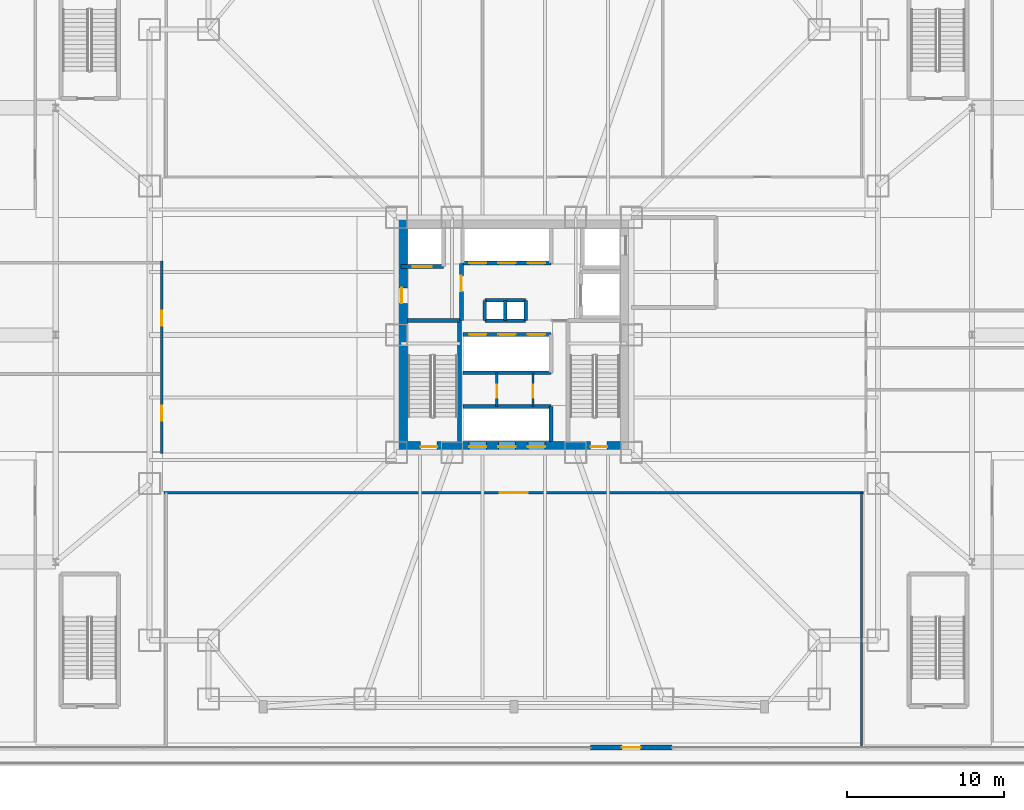
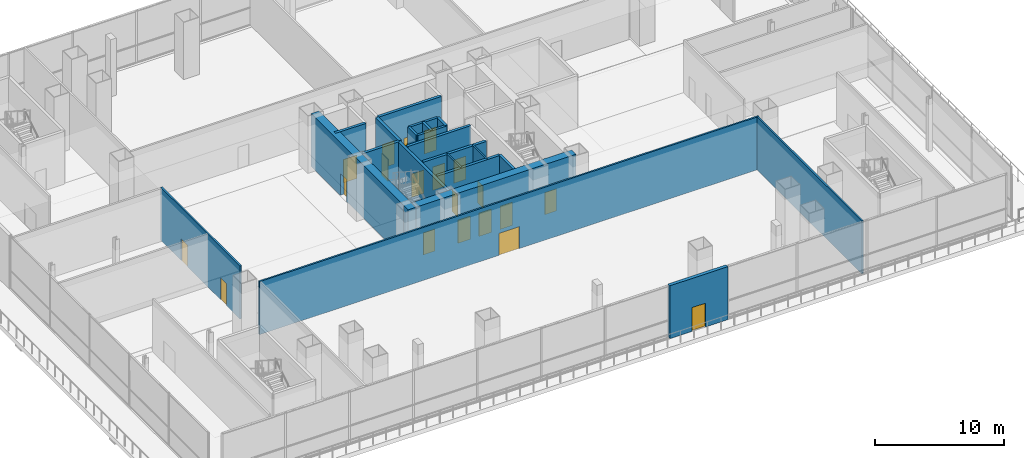
# One storey, part 22 of 35: 22 walls, 20 doors, 20 openings.
"""IFC4 building model written with IfcOpenShell, lengths in metres."""

import ifcopenshell
import ifcopenshell.guid

model = None  # the IFC model being written
_history = None  # IfcOwnerHistory: only IFC2X3 demands one
_inside = {}  # id of a spatial element -> (the spatial element, [elements in it])
_under = {}  # id of a project, library or spatial element -> (it, [spatial elements below it])
_declared = {}  # id of a project -> (the project, [libraries it declares])
_typed = {}  # id of a type object -> (the type object, [elements of that type])
_made_of = {}  # id of a material, layer set ... -> (it, [elements and type objects made of it])


def new_model(schema):
    """Start an empty IFC model of exactly this schema.

    Asked for "IFC4X3", IfcOpenShell would pick the latest addendum, in which some entities
    have other attributes; the version numbers below select the first issue.
    IFC2X3 requires an IfcOwnerHistory on every rooted entity: one is made here for all.
    """
    global model, _history
    if schema == "IFC4X3":
        model = ifcopenshell.file(schema_version=(4, 3, 0, 0))
    else:
        model = ifcopenshell.file(schema=schema)
    _inside.clear()
    _under.clear()
    _declared.clear()
    _typed.clear()
    _made_of.clear()
    _history = None
    if model.schema == "IFC2X3":
        org = make("IfcOrganization", Name="unknown")
        user = make(
            "IfcPersonAndOrganization",
            ThePerson=make("IfcPerson", FamilyName="unknown"),
            TheOrganization=org,
        )
        app = make(
            "IfcApplication",
            ApplicationDeveloper=org,
            Version="unknown",
            ApplicationFullName="unknown",
            ApplicationIdentifier="unknown",
        )
        _history = make(
            "IfcOwnerHistory",
            OwningUser=user,
            OwningApplication=app,
            ChangeAction="ADDED",
            CreationDate=0,
        )
    return model


def make(cls, **values):
    """One entity of the class cls with the attributes given. An attribute that is None is left unset."""
    return model.create_entity(
        cls, **{name: value for name, value in values.items() if value is not None}
    )


def rooted(cls, **values):
    """An entity with a GlobalId (a new one), such as an element, a storey or a relation."""
    return make(cls, GlobalId=ifcopenshell.guid.new(), OwnerHistory=_history, **values)


def si_unit(unit_type, name, prefix=None):
    """IfcSIUnit, for example si_unit("LENGTHUNIT", "METRE", prefix="MILLI")."""
    return make("IfcSIUnit", UnitType=unit_type, Prefix=prefix, Name=name)


def assignment(units):
    """IfcUnitAssignment: the units of a project."""
    return None if units is None else make("IfcUnitAssignment", Units=units)


def point(xyz):
    """IfcCartesianPoint."""
    return None if xyz is None else make("IfcCartesianPoint", Coordinates=xyz)


def direction(xyz):
    """IfcDirection."""
    return None if xyz is None else make("IfcDirection", DirectionRatios=xyz)


def frame(location, z_axis=None, x_axis=None):
    """IfcAxis2Placement3D, a coordinate frame: its origin and axes. An axis left out is left unset."""
    return make(
        "IfcAxis2Placement3D",
        Location=point(location),
        Axis=direction(z_axis),
        RefDirection=direction(x_axis),
    )


def frame_2d(location, x_axis=None):
    """IfcAxis2Placement2D, a coordinate frame in the plane: its origin and x axis."""
    return make(
        "IfcAxis2Placement2D", Location=point(location), RefDirection=direction(x_axis)
    )


def origin():
    """The frame at (0, 0, 0) with its axes left unset."""
    return frame((0.0, 0.0, 0.0))


def place(relative_to, where):
    """IfcLocalPlacement: puts the frame where relative to a parent placement (None: the world)."""
    return make(
        "IfcLocalPlacement", PlacementRelTo=relative_to, RelativePlacement=where
    )


def context(
    kind, dimensions, precision=None, world=None, true_north=None, identifier=None
):
    """IfcGeometricRepresentationContext, for example the 3D "Model" context."""
    return make(
        "IfcGeometricRepresentationContext",
        ContextIdentifier=identifier,
        ContextType=kind,
        CoordinateSpaceDimension=dimensions,
        Precision=precision,
        WorldCoordinateSystem=world,
        TrueNorth=true_north,
    )


def subcontext(parent, identifier, kind, view, scale=None):
    """IfcGeometricRepresentationSubContext, for example "Body" below "Model"."""
    return make(
        "IfcGeometricRepresentationSubContext",
        ContextIdentifier=identifier,
        ContextType=kind,
        ParentContext=parent,
        TargetScale=scale,
        TargetView=view,
    )


def project(units=None, contexts=None):
    """IfcProject with its units and contexts."""
    return rooted(
        "IfcProject",
        Name="project",
        RepresentationContexts=contexts,
        UnitsInContext=assignment(units),
    )


def spatial(cls, under=None, at=None, **own):
    """A site, building, storey or space (cls), placed at a placement, below another one or the project."""
    s = rooted(cls, ObjectPlacement=at, **own)
    if under is not None:
        _under.setdefault(under.id(), (under, []))[1].append(s)
    return s


def profile(cls, at=None, kind="AREA", **sizes):
    """A parametric profile (cls). Its sizes go by their IFC names, for example OverallWidth=200.0."""
    return make(cls, ProfileType=kind, Position=at, **sizes)


def rectangle(**sizes):
    """IfcRectangleProfileDef."""
    return profile("IfcRectangleProfileDef", **sizes)


def extrude(swept, where, along, depth):
    """IfcExtrudedAreaSolid: the profile swept, set in the frame where, extruded along a direction by depth."""
    return make(
        "IfcExtrudedAreaSolid",
        SweptArea=swept,
        Position=where,
        ExtrudedDirection=direction(along),
        Depth=depth,
    )


def shape(context_of_items, identifier, shape_type, items):
    """IfcShapeRepresentation: the items that make up one representation, for example the "Body"."""
    return make(
        "IfcShapeRepresentation",
        ContextOfItems=context_of_items,
        RepresentationIdentifier=identifier,
        RepresentationType=shape_type,
        Items=items,
    )


def material(Name=None, Category=None):
    """IfcMaterial."""
    return make("IfcMaterial", Name=Name, Category=Category)


def layer(
    of_material, thickness, ventilated=None, Name=None, Category=None, Priority=None
):
    """IfcMaterialLayer: one layer of a wall or slab, of a material (None: an air gap)."""
    return make(
        "IfcMaterialLayer",
        Material=of_material,
        LayerThickness=thickness,
        IsVentilated=ventilated,
        Name=Name,
        Category=Category,
        Priority=Priority,
    )


def layer_set(layers, Name=None):
    """IfcMaterialLayerSet."""
    return make("IfcMaterialLayerSet", MaterialLayers=layers, LayerSetName=Name)


def made_of(thing, what):
    """Note that an element or type object is made of a material, layer set ...; save() writes the relation."""
    if what is not None:
        _made_of.setdefault(what.id(), (what, []))[1].append(thing)
    return thing


def type_object(cls, material=None, **own):
    """A type object (cls), such as IfcWallType, which elements share."""
    return made_of(rooted(cls, **own), material)


def element(
    cls,
    number,
    at=None,
    inside=None,
    cuts=None,
    type_object=None,
    material=None,
    context=None,
    identifier="Body",
    shape_type=None,
    held_by="IfcProductDefinitionShape",
    body=None,
    shapes=None,
    **own,
):
    """One element of the class cls, such as IfcWall. Its Tag is "e" and its number.

    at: its placement. inside: the storey or other place that contains it. cuts: it is an
    opening in that element (IfcRelVoidsElement). A single representation is given by context,
    identifier, shape_type and body (its items); several are given by shapes. held_by: the class
    of the entity that holds the representations. save() writes the other relations.
    """
    e = rooted(cls, Tag="e%d" % number, ObjectPlacement=at, **own)
    if body is not None:
        shapes = [shape(context, identifier, shape_type, body)]
    if shapes is not None:
        e.Representation = make(held_by, Representations=shapes)
    if inside is not None:
        _inside.setdefault(inside.id(), (inside, []))[1].append(e)
    if cuts is not None:
        rooted(
            "IfcRelVoidsElement", RelatingBuildingElement=cuts, RelatedOpeningElement=e
        )
    if type_object is not None:
        _typed.setdefault(type_object.id(), (type_object, []))[1].append(e)
    return made_of(e, material)


def fill(opening, filler):
    """IfcRelFillsElement: the door or window that sits in an opening."""
    return rooted(
        "IfcRelFillsElement",
        RelatingOpeningElement=opening,
        RelatedBuildingElement=filler,
    )


def aggregate(whole, parts):
    """IfcRelAggregates: a whole, such as a stair, and the parts it consists of."""
    return rooted("IfcRelAggregates", RelatingObject=whole, RelatedObjects=parts)


def save(model, path):
    """Write the relations noted so far, then the file.

    IfcRelAggregates (storeys below a building ...), IfcRelContainedInSpatialStructure (elements
    in a storey), IfcRelDefinesByType, IfcRelAssociatesMaterial and IfcRelDeclares: one each for
    every whole, place, type object, material and project.
    """
    for whole, parts in _under.values():
        aggregate(whole, parts)
    for where, things in _inside.values():
        rooted(
            "IfcRelContainedInSpatialStructure",
            RelatedElements=things,
            RelatingStructure=where,
        )
    for kind, things in _typed.values():
        rooted("IfcRelDefinesByType", RelatedObjects=things, RelatingType=kind)
    for what, things in _made_of.values():
        rooted("IfcRelAssociatesMaterial", RelatedObjects=things, RelatingMaterial=what)
    for by, libraries in _declared.values():
        rooted("IfcRelDeclares", RelatingContext=by, RelatedDefinitions=libraries)
    model.write(path)


model = new_model("IFC4")

# Units and contexts
model_context = context("Model", 3, precision=1e-05, world=origin(), true_north=direction((0.0, 1.0)))
body_context = subcontext(model_context, "Body", "Model", "MODEL_VIEW")
ifc_project = project(units=[si_unit("LENGTHUNIT", "METRE"), si_unit("AREAUNIT", "SQUARE_METRE"), si_unit("VOLUMEUNIT", "CUBIC_METRE"), si_unit("PLANEANGLEUNIT", "RADIAN"), si_unit("MASSUNIT", "GRAM", prefix="KILO")], contexts=[model_context])

# Site, building, storey
site_placement = place(None, origin())
site = spatial("IfcSite", under=ifc_project, at=site_placement, CompositionType="ELEMENT")
building_placement = place(site_placement, origin())
building = spatial("IfcBuilding", under=site, at=building_placement, Name="Trevonay Congress Spire", CompositionType="ELEMENT")
storey_placement = place(building_placement, frame((0.0, 0.0, 10.800048828125)))
storey = spatial("IfcBuildingStorey", under=building, at=storey_placement, Name="L02", CompositionType="ELEMENT", Elevation=10.800048828125)

# Wall, openings, doors
ifc_material_1 = material(Name="Concrete C60/75", Category="concrete")
ifc_layer_1 = layer(ifc_material_1, 0.699951171875, Name="Concrete C60/75")
ifc_layer_set_1 = layer_set([ifc_layer_1], Name="Concrete C60/75")
wall_type_1 = type_object("IfcWallType", Name="WAL-CORE-700", PredefinedType="SHEAR", material=ifc_layer_set_1)
wall_1_placement = place(storey_placement, frame((-7.5, -7.14990234375, 0.0), z_axis=(0.0, 0.0, 1.0), x_axis=(1.0, 0.0, 0.0)))
wall_1 = element("IfcWall", 1, at=wall_1_placement, inside=storey, type_object=wall_type_1, Name="L02 South structural core shear wall", PredefinedType="SHEAR", context=body_context, shape_type="SweptSolid", body=[
    extrude(rectangle(XDim=15.0, YDim=0.699951171875, at=frame_2d((7.5, 0.0))), origin(), (0.0, 0.0, 1.0), 5.0),
])
opening_1_placement = place(wall_1_placement, frame((1.550048828125, 0.0, 0.0)))
opening_1 = element("IfcOpeningElement", 2, at=opening_1_placement, cuts=wall_1, Name="Opening D05", PredefinedType="OPENING", context=body_context, shape_type="SweptSolid", body=[
    extrude(rectangle(XDim=1.050048828125, YDim=2.080078125, at=frame_2d((0.52490234375, 1.0400390625))), frame((0.0, 0.35986328125, 0.0), z_axis=(0.0, -1.0, 0.0), x_axis=(1.0, 0.0, 0.0)), (0.0, 0.0, 1.0), 0.719970703125),
])
opening_2_placement = place(wall_1_placement, frame((12.39990234375, 0.0, 0.0)))
opening_2 = element("IfcOpeningElement", 3, at=opening_2_placement, cuts=wall_1, Name="Opening D05", PredefinedType="OPENING", context=body_context, shape_type="SweptSolid", body=[
    extrude(rectangle(XDim=1.050048828125, YDim=2.080078125, at=frame_2d((0.52490234375, 1.0400390625))), frame((0.0, 0.35986328125, 0.0), z_axis=(0.0, -1.0, 0.0), x_axis=(1.0, 0.0, 0.0)), (0.0, 0.0, 1.0), 0.719970703125),
])
opening_3_placement = place(wall_1_placement, frame((4.639892578125, 0.0, 0.0)))
opening_3 = element("IfcOpeningElement", 4, at=opening_3_placement, cuts=wall_1, Name="Opening LD01", PredefinedType="OPENING", context=body_context, shape_type="SweptSolid", body=[
    extrude(rectangle(XDim=1.10009765625, YDim=2.199951171875, at=frame_2d((0.550048828125, 1.10009765625))), frame((0.0, 0.35986328125, 0.0), z_axis=(0.0, -1.0, 0.0), x_axis=(1.0, 0.0, 0.0)), (0.0, 0.0, 1.0), 0.719970703125),
])
opening_4_placement = place(wall_1_placement, frame((6.52001953125, 0.0, 0.0)))
opening_4 = element("IfcOpeningElement", 5, at=opening_4_placement, cuts=wall_1, Name="Opening LD01", PredefinedType="OPENING", context=body_context, shape_type="SweptSolid", body=[
    extrude(rectangle(XDim=1.10009765625, YDim=2.199951171875, at=frame_2d((0.550048828125, 1.10009765625))), frame((0.0, 0.35986328125, 0.0), z_axis=(0.0, -1.0, 0.0), x_axis=(1.0, 0.0, 0.0)), (0.0, 0.0, 1.0), 0.719970703125),
])
opening_5_placement = place(wall_1_placement, frame((8.39990234375, 0.0, 0.0)))
opening_5 = element("IfcOpeningElement", 6, at=opening_5_placement, cuts=wall_1, Name="Opening LD01", PredefinedType="OPENING", context=body_context, shape_type="SweptSolid", body=[
    extrude(rectangle(XDim=1.10009765625, YDim=2.199951171875, at=frame_2d((0.550048828125, 1.10009765625))), frame((0.0, 0.35986328125, 0.0), z_axis=(0.0, -1.0, 0.0), x_axis=(1.0, 0.0, 0.0)), (0.0, 0.0, 1.0), 0.719970703125),
])
ifc_material_2 = material(Name="Pale Anodised Aluminium EN AW-6063-T6", Category="aluminium")
door_type_1 = type_object("IfcDoorType", Name="DOR-LIFT-LD01", OperationType="DOUBLE_DOOR_SLIDING", PredefinedType="DOOR", material=ifc_material_2)
door_1_placement = place(opening_3_placement, origin())
door_1 = element("IfcDoor", 7, at=door_1_placement, inside=storey, type_object=door_type_1, Name="L02 Passenger lift PL-01 landing door", OperationType="DOUBLE_DOOR_SLIDING", OverallHeight=2.199951171875, OverallWidth=1.10009765625, PredefinedType="DOOR", context=body_context, shape_type="SweptSolid", body=[
    extrude(rectangle(XDim=1.10009765625, YDim=2.199951171875, at=frame_2d((0.550048828125, 1.10009765625))), frame((0.0, 0.02490234375, 0.0), z_axis=(0.0, -1.0, 0.0), x_axis=(1.0, 0.0, 0.0)), (0.0, 0.0, 1.0), 0.050048828125),
])
fill(opening_3, door_1)
door_2_placement = place(opening_4_placement, origin())
door_2 = element("IfcDoor", 8, at=door_2_placement, inside=storey, type_object=door_type_1, Name="L02 Passenger lift PL-02 landing door", OperationType="DOUBLE_DOOR_SLIDING", OverallHeight=2.199951171875, OverallWidth=1.10009765625, PredefinedType="DOOR", context=body_context, shape_type="SweptSolid", body=[
    extrude(rectangle(XDim=1.10009765625, YDim=2.199951171875, at=frame_2d((0.550048828125, 1.10009765625))), frame((0.0, 0.02490234375, 0.0), z_axis=(0.0, -1.0, 0.0), x_axis=(1.0, 0.0, 0.0)), (0.0, 0.0, 1.0), 0.050048828125),
])
fill(opening_4, door_2)
door_3_placement = place(opening_5_placement, origin())
door_3 = element("IfcDoor", 9, at=door_3_placement, inside=storey, type_object=door_type_1, Name="L02 Passenger lift PL-03 landing door", OperationType="DOUBLE_DOOR_SLIDING", OverallHeight=2.199951171875, OverallWidth=1.10009765625, PredefinedType="DOOR", context=body_context, shape_type="SweptSolid", body=[
    extrude(rectangle(XDim=1.10009765625, YDim=2.199951171875, at=frame_2d((0.550048828125, 1.10009765625))), frame((0.0, 0.02490234375, 0.0), z_axis=(0.0, -1.0, 0.0), x_axis=(1.0, 0.0, 0.0)), (0.0, 0.0, 1.0), 0.050048828125),
])
fill(opening_5, door_3)
ifc_material_3 = material(Name="Steel ASTM A572 Grade 50", Category="steel")
door_type_2 = type_object("IfcDoorType", Name="DOR-STAIR-110", OperationType="NOTDEFINED", PredefinedType="DOOR", material=ifc_material_3)
door_4_placement = place(opening_1_placement, origin())
door_4 = element("IfcDoor", 10, at=door_4_placement, inside=storey, type_object=door_type_2, Name="L02 Protected Stair ST-1 Door", OperationType="SINGLE_SWING_LEFT", OverallHeight=2.080078125, OverallWidth=1.050048828125, PredefinedType="DOOR", context=body_context, shape_type="SweptSolid", body=[
    extrude(rectangle(XDim=1.050048828125, YDim=2.080078125, at=frame_2d((0.52490234375, 1.0400390625))), frame((0.0, 0.02490234375, 0.0), z_axis=(0.0, -1.0, 0.0), x_axis=(1.0, 0.0, 0.0)), (0.0, 0.0, 1.0), 0.050048828125),
])
fill(opening_1, door_4)
door_5_placement = place(opening_2_placement, origin())
door_5 = element("IfcDoor", 11, at=door_5_placement, inside=storey, type_object=door_type_2, Name="L02 Protected Stair ST-2 Door", OperationType="SINGLE_SWING_RIGHT", OverallHeight=2.080078125, OverallWidth=1.050048828125, PredefinedType="DOOR", context=body_context, shape_type="SweptSolid", body=[
    extrude(rectangle(XDim=1.050048828125, YDim=2.080078125, at=frame_2d((0.52490234375, 1.0400390625))), frame((0.0, 0.02490234375, 0.0), z_axis=(0.0, -1.0, 0.0), x_axis=(1.0, 0.0, 0.0)), (0.0, 0.0, 1.0), 0.050048828125),
])
fill(opening_2, door_5)

# Wall, opening, door
wall_2_placement = place(storey_placement, frame((-7.14990234375, -7.5, 0.0), z_axis=(0.0, 0.0, 1.0), x_axis=(0.0, 1.0, 0.0)))
wall_2 = element("IfcWall", 12, at=wall_2_placement, inside=storey, type_object=wall_type_1, Name="L02 West structural core shear wall", PredefinedType="SHEAR", context=body_context, shape_type="SweptSolid", body=[
    extrude(rectangle(XDim=15.0, YDim=0.699951171875, at=frame_2d((7.5, 0.0))), origin(), (0.0, 0.0, 1.0), 5.0),
])
opening_6_placement = place(wall_2_placement, frame((9.5, 0.0, 0.0)))
opening_6 = element("IfcOpeningElement", 13, at=opening_6_placement, cuts=wall_2, Name="Opening D06", PredefinedType="OPENING", context=body_context, shape_type="SweptSolid", body=[
    extrude(rectangle(XDim=1.0, YDim=2.080078125, at=frame_2d((0.5, 1.0400390625))), frame((0.0, 0.35986328125, 0.0), z_axis=(0.0, -1.0, 0.0), x_axis=(1.0, 0.0, 0.0)), (0.0, 0.0, 1.0), 0.719970703125),
])
door_type_3 = type_object("IfcDoorType", Name="DOR-FIRE-100", OperationType="NOTDEFINED", PredefinedType="DOOR", material=ifc_material_3)
door_6_placement = place(opening_6_placement, origin())
door_6 = element("IfcDoor", 14, at=door_6_placement, inside=storey, type_object=door_type_3, Name="L02 Firefighting Lift Lobby West Corridor Door", OperationType="SINGLE_SWING_LEFT", OverallHeight=2.080078125, OverallWidth=1.0, PredefinedType="DOOR", context=body_context, shape_type="SweptSolid", body=[
    extrude(rectangle(XDim=1.0, YDim=2.080078125, at=frame_2d((0.5, 1.0400390625))), frame((0.0, 0.02490234375, 0.0), z_axis=(0.0, -1.0, 0.0), x_axis=(1.0, 0.0, 0.0)), (0.0, 0.0, 1.0), 0.050048828125),
])
fill(opening_6, door_6)

ifc_material_4 = material(Name="Concrete C40/50", Category="concrete")
ifc_layer_2 = layer(ifc_material_4, 0.14990234375, Name="Concrete C40/50")
ifc_layer_set_2 = layer_set([ifc_layer_2], Name="Concrete C40/50")
wall_type_2 = type_object("IfcWallType", Name="WAL-CORR-150", PredefinedType="PARTITIONING", material=ifc_layer_set_2)
wall_3_placement = place(storey_placement, frame((-22.320068359375, -10.080078125, 0.0), z_axis=(0.0, 0.0, 1.0), x_axis=(1.0, 0.0, 0.0)))
wall_3 = element("IfcWall", 15, at=wall_3_placement, inside=storey, type_object=wall_type_2, Name="L02 interior wall WP-L02S-COR", PredefinedType="PARTITIONING", context=body_context, shape_type="SweptSolid", body=[
    extrude(rectangle(XDim=44.64013671875, YDim=0.14990234375, at=frame_2d((22.320068359375, 0.0))), origin(), (0.0, 0.0, 1.0), 5.0),
])
opening_7_placement = place(wall_3_placement, frame((21.419921875, 0.0, 0.0)))
opening_7 = element("IfcOpeningElement", 16, at=opening_7_placement, cuts=wall_3, Name="Opening D09", PredefinedType="OPENING", context=body_context, shape_type="SweptSolid", body=[
    extrude(rectangle(XDim=1.800048828125, YDim=2.080078125, at=frame_2d((0.89990234375, 1.0400390625))), frame((0.0, 0.0849609375, 0.0), z_axis=(0.0, -1.0, 0.0), x_axis=(1.0, 0.0, 0.0)), (0.0, 0.0, 1.0), 0.169921875),
])
door_type_4 = type_object("IfcDoorType", Name="DOR-CONF-DBL", OperationType="DOUBLE_DOOR_SINGLE_SWING", PredefinedType="DOOR", material=ifc_material_2)
door_7_placement = place(opening_7_placement, origin())
door_7 = element("IfcDoor", 17, at=door_7_placement, inside=storey, type_object=door_type_4, Name="L02 Exhibition Hall Door", OperationType="DOUBLE_DOOR_SINGLE_SWING", OverallHeight=2.080078125, OverallWidth=1.800048828125, PredefinedType="DOOR", context=body_context, shape_type="SweptSolid", body=[
    extrude(rectangle(XDim=1.800048828125, YDim=2.080078125, at=frame_2d((0.89990234375, 1.0400390625))), frame((0.0, 0.02490234375, 0.0), z_axis=(0.0, -1.0, 0.0), x_axis=(1.0, 0.0, 0.0)), (0.0, 0.0, 1.0), 0.050048828125),
])
fill(opening_7, door_7)

# Wall, openings, doors
wall_4_placement = place(storey_placement, frame((-22.47998046875, -7.570068359375, 0.0), z_axis=(0.0, 0.0, 1.0), x_axis=(0.0, 1.0, 0.0)))
wall_4 = element("IfcWall", 18, at=wall_4_placement, inside=storey, type_object=wall_type_2, Name="L02 interior wall WP-L02W-COR", PredefinedType="PARTITIONING", context=body_context, shape_type="SweptSolid", body=[
    extrude(rectangle(XDim=12.2900390625, YDim=0.14990234375, at=frame_2d((6.14501953125, 0.0))), origin(), (0.0, 0.0, 1.0), 5.0),
])
opening_8_placement = place(wall_4_placement, frame((2.080078125, 0.0, 0.0)))
opening_8 = element("IfcOpeningElement", 19, at=opening_8_placement, cuts=wall_4, Name="Opening D07", PredefinedType="OPENING", context=body_context, shape_type="SweptSolid", body=[
    extrude(rectangle(XDim=0.949951171875, YDim=2.06005859375, at=frame_2d((0.47509765625, 1.030029296875))), frame((0.0, 0.0849609375, 0.0), z_axis=(0.0, -1.0, 0.0), x_axis=(1.0, 0.0, 0.0)), (0.0, 0.0, 1.0), 0.169921875),
])
opening_9_placement = place(wall_4_placement, frame((8.14501953125, 0.0, 0.0)))
opening_9 = element("IfcOpeningElement", 20, at=opening_9_placement, cuts=wall_4, Name="Opening D07", PredefinedType="OPENING", context=body_context, shape_type="SweptSolid", body=[
    extrude(rectangle(XDim=0.949951171875, YDim=2.06005859375, at=frame_2d((0.47509765625, 1.030029296875))), frame((0.0, 0.0849609375, 0.0), z_axis=(0.0, -1.0, 0.0), x_axis=(1.0, 0.0, 0.0)), (0.0, 0.0, 1.0), 0.169921875),
])
door_type_5 = type_object("IfcDoorType", Name="DOR-OFFICE-95", OperationType="NOTDEFINED", PredefinedType="DOOR", material=ifc_material_2)
door_8_placement = place(opening_8_placement, origin())
door_8 = element("IfcDoor", 21, at=door_8_placement, inside=storey, type_object=door_type_5, Name="L02 Symposium Seminar Room 1 Door", OperationType="SINGLE_SWING_LEFT", OverallHeight=2.06005859375, OverallWidth=0.949951171875, PredefinedType="DOOR", context=body_context, shape_type="SweptSolid", body=[
    extrude(rectangle(XDim=0.949951171875, YDim=2.06005859375, at=frame_2d((0.47509765625, 1.030029296875))), frame((0.0, 0.02490234375, 0.0), z_axis=(0.0, -1.0, 0.0), x_axis=(1.0, 0.0, 0.0)), (0.0, 0.0, 1.0), 0.050048828125),
])
fill(opening_8, door_8)
door_9_placement = place(opening_9_placement, origin())
door_9 = element("IfcDoor", 22, at=door_9_placement, inside=storey, type_object=door_type_5, Name="L02 Symposium Seminar Room 2 Door", OperationType="SINGLE_SWING_RIGHT", OverallHeight=2.06005859375, OverallWidth=0.949951171875, PredefinedType="DOOR", context=body_context, shape_type="SweptSolid", body=[
    extrude(rectangle(XDim=0.949951171875, YDim=2.06005859375, at=frame_2d((0.47509765625, 1.030029296875))), frame((0.0, 0.02490234375, 0.0), z_axis=(0.0, -1.0, 0.0), x_axis=(1.0, 0.0, 0.0)), (0.0, 0.0, 1.0), 0.050048828125),
])
fill(opening_9, door_9)

# Wall, opening, door
ifc_material_5 = material(Name="Precast concrete C40/50", Category="concrete")
ifc_layer_3 = layer(ifc_material_5, 0.300048828125, Name="Precast concrete C40/50")
ifc_layer_set_3 = layer_set([ifc_layer_3], Name="Precast concrete C40/50")
wall_type_3 = type_object("IfcWallType", Name="WAL-EXT-PRECAST-300", PredefinedType="SOLIDWALL", material=ifc_layer_set_3)
wall_5_placement = place(storey_placement, frame((4.89990234375, -26.35009765625, 0.0), z_axis=(0.0, 0.0, 1.0), x_axis=(1.0, 0.0, 0.0)))
wall_5 = element("IfcWall", 23, at=wall_5_placement, inside=storey, type_object=wall_type_3, Name="L02 S terrace doorway backup wall", PredefinedType="SOLIDWALL", context=body_context, shape_type="SweptSolid", body=[
    extrude(rectangle(XDim=5.2001953125, YDim=0.300048828125, at=frame_2d((2.60009765625, 0.0))), origin(), (0.0, 0.0, 1.0), 5.0),
])
opening_10_placement = place(wall_5_placement, frame((2.0, 0.0, 0.0)))
opening_10 = element("IfcOpeningElement", 24, at=opening_10_placement, cuts=wall_5, Name="Opening D12", PredefinedType="OPENING", context=body_context, shape_type="SweptSolid", body=[
    extrude(rectangle(XDim=1.199951171875, YDim=2.25, at=frame_2d((0.60009765625, 1.125))), frame((0.0, 0.16015625, 0.0), z_axis=(0.0, -1.0, 0.0), x_axis=(1.0, 0.0, 0.0)), (0.0, 0.0, 1.0), 0.320068359375),
])
door_type_6 = type_object("IfcDoorType", Name="DOR-EXT-TERR-120", OperationType="NOTDEFINED", PredefinedType="DOOR", material=ifc_material_2)
door_10_placement = place(opening_10_placement, origin())
door_10 = element("IfcDoor", 25, at=door_10_placement, inside=storey, type_object=door_type_6, Name="L02 S stepped terrace access door", OperationType="SINGLE_SWING_LEFT", OverallHeight=2.25, OverallWidth=1.199951171875, PredefinedType="DOOR", context=body_context, shape_type="SweptSolid", body=[
    extrude(rectangle(XDim=1.199951171875, YDim=2.25, at=frame_2d((0.60009765625, 1.125))), frame((0.0, 0.02490234375, 0.0), z_axis=(0.0, -1.0, 0.0), x_axis=(1.0, 0.0, 0.0)), (0.0, 0.0, 1.0), 0.050048828125),
])
fill(opening_10, door_10)

ifc_layer_4 = layer(ifc_material_4, 0.14990234375, Name="Concrete C40/50")
ifc_layer_set_4 = layer_set([ifc_layer_4], Name="Concrete C40/50")
wall_type_4 = type_object("IfcWallType", Name="WAL-PART-150", PredefinedType="PARTITIONING", material=ifc_layer_set_4)
wall_6_placement = place(storey_placement, frame((-1.080078125, -4.570068359375, 0.0), z_axis=(0.0, 0.0, 1.0), x_axis=(0.0, 1.0, 0.0)))
wall_6 = element("IfcWall", 26, at=wall_6_placement, inside=storey, type_object=wall_type_4, Name="L02 interior wall CW-K3-IT-L02", PredefinedType="PARTITIONING", context=body_context, shape_type="SweptSolid", body=[
    extrude(rectangle(XDim=2.14013671875, YDim=0.14990234375, at=frame_2d((1.070068359375, 0.0))), origin(), (0.0, 0.0, 1.0), 5.0),
])
opening_11_placement = place(wall_6_placement, frame((0.550048828125, 0.0, 0.0)))
opening_11 = element("IfcOpeningElement", 27, at=opening_11_placement, cuts=wall_6, Name="Opening D13", PredefinedType="OPENING", context=body_context, shape_type="SweptSolid", body=[
    extrude(rectangle(XDim=0.820068359375, YDim=2.050048828125, at=frame_2d((0.41015625, 1.02490234375))), frame((0.0, 0.0849609375, 0.0), z_axis=(0.0, -1.0, 0.0), x_axis=(1.0, 0.0, 0.0)), (0.0, 0.0, 1.0), 0.169921875),
])
door_type_7 = type_object("IfcDoorType", Name="DOR-UTIL-80", OperationType="NOTDEFINED", PredefinedType="DOOR", material=ifc_material_3)
door_11_placement = place(opening_11_placement, origin())
door_11 = element("IfcDoor", 28, at=door_11_placement, inside=storey, type_object=door_type_7, Name="L02 Core IT Door", OperationType="SINGLE_SWING_RIGHT", OverallHeight=2.050048828125, OverallWidth=0.820068359375, PredefinedType="DOOR", context=body_context, shape_type="SweptSolid", body=[
    extrude(rectangle(XDim=0.820068359375, YDim=2.050048828125, at=frame_2d((0.41015625, 1.02490234375))), frame((0.0, 0.02490234375, 0.0), z_axis=(0.0, -1.0, 0.0), x_axis=(1.0, 0.0, 0.0)), (0.0, 0.0, 1.0), 0.050048828125),
])
fill(opening_11, door_11)

wall_7_placement = place(storey_placement, frame((1.219970703125, -4.570068359375, 0.0), z_axis=(0.0, 0.0, 1.0), x_axis=(0.0, 1.0, 0.0)))
wall_7 = element("IfcWall", 29, at=wall_7_placement, inside=storey, type_object=wall_type_4, Name="L02 interior wall CW-K3-JAN-L02", PredefinedType="PARTITIONING", context=body_context, shape_type="SweptSolid", body=[
    extrude(rectangle(XDim=2.14013671875, YDim=0.14990234375, at=frame_2d((1.070068359375, 0.0))), origin(), (0.0, 0.0, 1.0), 5.0),
])
opening_12_placement = place(wall_7_placement, frame((0.550048828125, 0.0, 0.0)))
opening_12 = element("IfcOpeningElement", 30, at=opening_12_placement, cuts=wall_7, Name="Opening D13", PredefinedType="OPENING", context=body_context, shape_type="SweptSolid", body=[
    extrude(rectangle(XDim=0.820068359375, YDim=2.050048828125, at=frame_2d((0.41015625, 1.02490234375))), frame((0.0, 0.0849609375, 0.0), z_axis=(0.0, -1.0, 0.0), x_axis=(1.0, 0.0, 0.0)), (0.0, 0.0, 1.0), 0.169921875),
])
door_12_placement = place(opening_12_placement, origin())
door_12 = element("IfcDoor", 31, at=door_12_placement, inside=storey, type_object=door_type_7, Name="L02 Core JAN Door", OperationType="SINGLE_SWING_LEFT", OverallHeight=2.050048828125, OverallWidth=0.820068359375, PredefinedType="DOOR", context=body_context, shape_type="SweptSolid", body=[
    extrude(rectangle(XDim=0.820068359375, YDim=2.050048828125, at=frame_2d((0.41015625, 1.02490234375))), frame((0.0, 0.02490234375, 0.0), z_axis=(0.0, -1.0, 0.0), x_axis=(1.0, 0.0, 0.0)), (0.0, 0.0, 1.0), 0.050048828125),
])
fill(opening_12, door_12)

# Walls
wall_8_placement = place(storey_placement, frame((22.199951171875, -26.35009765625, 0.0), z_axis=(0.0, 0.0, 1.0), x_axis=(0.0, 1.0, 0.0)))
element("IfcWall", 32, at=wall_8_placement, inside=storey, type_object=wall_type_4, Name="L02 interior wall WP-L02S-DIV2", PredefinedType="PARTITIONING", context=body_context, shape_type="SweptSolid", body=[
    extrude(rectangle(XDim=16.27001953125, YDim=0.14990234375, at=frame_2d((8.135009765625, 0.0))), origin(), (0.0, 0.0, 1.0), 5.0),
])
ifc_layer_5 = layer(ifc_material_4, 0.219970703125, Name="Concrete C40/50")
ifc_layer_set_5 = layer_set([ifc_layer_5], Name="Concrete C40/50")
wall_type_5 = type_object("IfcWallType", Name="WAL-SHAFT-220", PredefinedType="PARTITIONING", material=ifc_layer_set_5)
for number, where, z_axis, x_axis, name in (
    (33, (-1.85009765625, 2.199951171875, 0.0), (0.0, 0.0, 1.0), (1.0, 0.0, 0.0), "L02 interior shaft wall WSH-L02-RSR-N"),
    (34, (-1.85009765625, 0.89990234375, 0.0), (0.0, 0.0, 1.0), (1.0, 0.0, 0.0), "L02 interior shaft wall WSH-L02-RSR-S"),
):
    element("IfcWall", number, at=place(storey_placement, frame(where, z_axis=z_axis, x_axis=x_axis)), inside=storey, type_object=wall_type_5, Name=name, PredefinedType="PARTITIONING", context=body_context, shape_type="SweptSolid", body=[
        extrude(rectangle(XDim=2.60009765625, YDim=0.219970703125, at=frame_2d((1.300048828125, 0.0))), origin(), (0.0, 0.0, 1.0), 5.0),
    ])
for number, where, z_axis, x_axis, name in (
    (35, (-0.550048828125, 0.89990234375, 0.0), (0.0, 0.0, 1.0), (0.0, 1.0, 0.0), "L02 interior shaft wall WSH-L02-RSR-M"),
    (36, (0.75, 0.89990234375, 0.0), (0.0, 0.0, 1.0), (0.0, 1.0, 0.0), "L02 interior shaft wall WSH-L02-RSR-E"),
    (37, (-1.85009765625, 0.89990234375, 0.0), (0.0, 0.0, 1.0), (0.0, 1.0, 0.0), "L02 interior shaft wall WSH-L02-RSR-W"),
):
    element("IfcWall", number, at=place(storey_placement, frame(where, z_axis=z_axis, x_axis=x_axis)), inside=storey, type_object=wall_type_5, Name=name, PredefinedType="PARTITIONING", context=body_context, shape_type="SweptSolid", body=[
        extrude(rectangle(XDim=1.300048828125, YDim=0.219970703125, at=frame_2d((0.64990234375, 0.0))), origin(), (0.0, 0.0, 1.0), 5.0),
    ])
ifc_layer_6 = layer(ifc_material_4, 0.25, Name="Concrete C40/50")
ifc_layer_set_6 = layer_set([ifc_layer_6], Name="Concrete C40/50")
wall_type_6 = type_object("IfcWallType", Name="WAL-SHAFT-250", PredefinedType="SHEAR", material=ifc_layer_set_6)
wall_9_placement = place(storey_placement, frame((-3.260009765625, -4.580078125, 0.0), z_axis=(0.0, 0.0, 1.0), x_axis=(1.0, 0.0, 0.0)))
element("IfcWall", 38, at=wall_9_placement, inside=storey, type_object=wall_type_6, Name="L02 interior shaft wall WSH-L02-B1-N", PredefinedType="SHEAR", context=body_context, shape_type="SweptSolid", body=[
    extrude(rectangle(XDim=5.639892578125, YDim=0.25, at=frame_2d((2.81982421875, 0.0))), origin(), (0.0, 0.0, 1.0), 5.0),
])
wall_10_placement = place(storey_placement, frame((2.3798828125, -6.800048828125, 0.0), z_axis=(0.0, 0.0, 1.0), x_axis=(0.0, 1.0, 0.0)))
element("IfcWall", 39, at=wall_10_placement, inside=storey, type_object=wall_type_6, Name="L02 interior shaft wall WSH-L02-B1-E", PredefinedType="SHEAR", context=body_context, shape_type="SweptSolid", body=[
    extrude(rectangle(XDim=2.219970703125, YDim=0.25, at=frame_2d((1.10986328125, 0.0))), origin(), (0.0, 0.0, 1.0), 5.0),
])

# Wall, openings, doors
wall_11_placement = place(storey_placement, frame((-3.260009765625, 0.02001953125, 0.0), z_axis=(0.0, 0.0, 1.0), x_axis=(1.0, 0.0, 0.0)))
wall_11 = element("IfcWall", 40, at=wall_11_placement, inside=storey, type_object=wall_type_6, Name="L02 interior shaft wall WSH-L02-B2-N", PredefinedType="SHEAR", context=body_context, shape_type="SweptSolid", body=[
    extrude(rectangle(XDim=5.639892578125, YDim=0.25, at=frame_2d((2.81982421875, 0.0))), origin(), (0.0, 0.0, 1.0), 5.0),
])
opening_13_placement = place(wall_11_placement, frame((0.39990234375, 0.0, 0.0)))
opening_13 = element("IfcOpeningElement", 41, at=opening_13_placement, cuts=wall_11, Name="Opening LD02", PredefinedType="OPENING", context=body_context, shape_type="SweptSolid", body=[
    extrude(rectangle(XDim=1.10009765625, YDim=2.199951171875, at=frame_2d((0.550048828125, 1.10009765625))), frame((0.0, 0.135009765625, 0.0), z_axis=(0.0, -1.0, 0.0), x_axis=(1.0, 0.0, 0.0)), (0.0, 0.0, 1.0), 0.27001953125),
])
opening_14_placement = place(wall_11_placement, frame((2.280029296875, 0.0, 0.0)))
opening_14 = element("IfcOpeningElement", 42, at=opening_14_placement, cuts=wall_11, Name="Opening LD02", PredefinedType="OPENING", context=body_context, shape_type="SweptSolid", body=[
    extrude(rectangle(XDim=1.10009765625, YDim=2.199951171875, at=frame_2d((0.550048828125, 1.10009765625))), frame((0.0, 0.135009765625, 0.0), z_axis=(0.0, -1.0, 0.0), x_axis=(1.0, 0.0, 0.0)), (0.0, 0.0, 1.0), 0.27001953125),
])
opening_15_placement = place(wall_11_placement, frame((4.159912109375, 0.0, 0.0)))
opening_15 = element("IfcOpeningElement", 43, at=opening_15_placement, cuts=wall_11, Name="Opening LD02", PredefinedType="OPENING", context=body_context, shape_type="SweptSolid", body=[
    extrude(rectangle(XDim=1.10009765625, YDim=2.199951171875, at=frame_2d((0.550048828125, 1.10009765625))), frame((0.0, 0.135009765625, 0.0), z_axis=(0.0, -1.0, 0.0), x_axis=(1.0, 0.0, 0.0)), (0.0, 0.0, 1.0), 0.27001953125),
])
door_type_8 = type_object("IfcDoorType", Name="DOR-LIFT-LD02", OperationType="DOUBLE_DOOR_SLIDING", PredefinedType="DOOR", material=ifc_material_2)
door_13_placement = place(opening_13_placement, origin())
door_13 = element("IfcDoor", 44, at=door_13_placement, inside=storey, type_object=door_type_8, Name="L02 Passenger lift PL-04 landing door", OperationType="DOUBLE_DOOR_SLIDING", OverallHeight=2.199951171875, OverallWidth=1.10009765625, PredefinedType="DOOR", context=body_context, shape_type="SweptSolid", body=[
    extrude(rectangle(XDim=1.10009765625, YDim=2.199951171875, at=frame_2d((0.550048828125, 1.10009765625))), frame((0.0, 0.02490234375, 0.0), z_axis=(0.0, -1.0, 0.0), x_axis=(1.0, 0.0, 0.0)), (0.0, 0.0, 1.0), 0.050048828125),
])
fill(opening_13, door_13)
door_14_placement = place(opening_14_placement, origin())
door_14 = element("IfcDoor", 45, at=door_14_placement, inside=storey, type_object=door_type_8, Name="L02 Passenger lift PL-05 landing door", OperationType="DOUBLE_DOOR_SLIDING", OverallHeight=2.199951171875, OverallWidth=1.10009765625, PredefinedType="DOOR", context=body_context, shape_type="SweptSolid", body=[
    extrude(rectangle(XDim=1.10009765625, YDim=2.199951171875, at=frame_2d((0.550048828125, 1.10009765625))), frame((0.0, 0.02490234375, 0.0), z_axis=(0.0, -1.0, 0.0), x_axis=(1.0, 0.0, 0.0)), (0.0, 0.0, 1.0), 0.050048828125),
])
fill(opening_14, door_14)
door_15_placement = place(opening_15_placement, origin())
door_15 = element("IfcDoor", 46, at=door_15_placement, inside=storey, type_object=door_type_8, Name="L02 Passenger lift PL-06 landing door", OperationType="DOUBLE_DOOR_SLIDING", OverallHeight=2.199951171875, OverallWidth=1.10009765625, PredefinedType="DOOR", context=body_context, shape_type="SweptSolid", body=[
    extrude(rectangle(XDim=1.10009765625, YDim=2.199951171875, at=frame_2d((0.550048828125, 1.10009765625))), frame((0.0, 0.02490234375, 0.0), z_axis=(0.0, -1.0, 0.0), x_axis=(1.0, 0.0, 0.0)), (0.0, 0.0, 1.0), 0.050048828125),
])
fill(opening_15, door_15)

# Wall
wall_12_placement = place(storey_placement, frame((-3.260009765625, -2.419921875, 0.0), z_axis=(0.0, 0.0, 1.0), x_axis=(1.0, 0.0, 0.0)))
element("IfcWall", 47, at=wall_12_placement, inside=storey, type_object=wall_type_6, Name="L02 interior shaft wall WSH-L02-B2-S", PredefinedType="SHEAR", context=body_context, shape_type="SweptSolid", body=[
    extrude(rectangle(XDim=5.639892578125, YDim=0.25, at=frame_2d((2.81982421875, 0.0))), origin(), (0.0, 0.0, 1.0), 5.0),
])

# Wall, openings, doors
wall_13_placement = place(storey_placement, frame((-3.260009765625, 4.580078125, 0.0), z_axis=(0.0, 0.0, 1.0), x_axis=(1.0, 0.0, 0.0)))
wall_13 = element("IfcWall", 48, at=wall_13_placement, inside=storey, type_object=wall_type_6, Name="L02 interior shaft wall WSH-L02-B3-S", PredefinedType="SHEAR", context=body_context, shape_type="SweptSolid", body=[
    extrude(rectangle(XDim=5.639892578125, YDim=0.25, at=frame_2d((2.81982421875, 0.0))), origin(), (0.0, 0.0, 1.0), 5.0),
])
opening_16_placement = place(wall_13_placement, frame((0.39990234375, 0.0, 0.0)))
opening_16 = element("IfcOpeningElement", 49, at=opening_16_placement, cuts=wall_13, Name="Opening LD03", PredefinedType="OPENING", context=body_context, shape_type="SweptSolid", body=[
    extrude(rectangle(XDim=1.10009765625, YDim=2.199951171875, at=frame_2d((0.550048828125, 1.10009765625))), frame((0.0, 0.135009765625, 0.0), z_axis=(0.0, -1.0, 0.0), x_axis=(1.0, 0.0, 0.0)), (0.0, 0.0, 1.0), 0.27001953125),
])
opening_17_placement = place(wall_13_placement, frame((2.280029296875, 0.0, 0.0)))
opening_17 = element("IfcOpeningElement", 50, at=opening_17_placement, cuts=wall_13, Name="Opening LD03", PredefinedType="OPENING", context=body_context, shape_type="SweptSolid", body=[
    extrude(rectangle(XDim=1.10009765625, YDim=2.199951171875, at=frame_2d((0.550048828125, 1.10009765625))), frame((0.0, 0.135009765625, 0.0), z_axis=(0.0, -1.0, 0.0), x_axis=(1.0, 0.0, 0.0)), (0.0, 0.0, 1.0), 0.27001953125),
])
opening_18_placement = place(wall_13_placement, frame((4.159912109375, 0.0, 0.0)))
opening_18 = element("IfcOpeningElement", 51, at=opening_18_placement, cuts=wall_13, Name="Opening LD03", PredefinedType="OPENING", context=body_context, shape_type="SweptSolid", body=[
    extrude(rectangle(XDim=1.10009765625, YDim=2.199951171875, at=frame_2d((0.550048828125, 1.10009765625))), frame((0.0, 0.135009765625, 0.0), z_axis=(0.0, -1.0, 0.0), x_axis=(1.0, 0.0, 0.0)), (0.0, 0.0, 1.0), 0.27001953125),
])
door_type_9 = type_object("IfcDoorType", Name="DOR-LIFT-LD03", OperationType="DOUBLE_DOOR_SLIDING", PredefinedType="DOOR", material=ifc_material_2)
door_16_placement = place(opening_16_placement, origin())
door_16 = element("IfcDoor", 52, at=door_16_placement, inside=storey, type_object=door_type_9, Name="L02 Passenger lift PL-07 landing door", OperationType="DOUBLE_DOOR_SLIDING", OverallHeight=2.199951171875, OverallWidth=1.10009765625, PredefinedType="DOOR", context=body_context, shape_type="SweptSolid", body=[
    extrude(rectangle(XDim=1.10009765625, YDim=2.199951171875, at=frame_2d((0.550048828125, 1.10009765625))), frame((0.0, 0.02490234375, 0.0), z_axis=(0.0, -1.0, 0.0), x_axis=(1.0, 0.0, 0.0)), (0.0, 0.0, 1.0), 0.050048828125),
])
fill(opening_16, door_16)
door_17_placement = place(opening_17_placement, origin())
door_17 = element("IfcDoor", 53, at=door_17_placement, inside=storey, type_object=door_type_9, Name="L02 Passenger lift PL-08 landing door", OperationType="DOUBLE_DOOR_SLIDING", OverallHeight=2.199951171875, OverallWidth=1.10009765625, PredefinedType="DOOR", context=body_context, shape_type="SweptSolid", body=[
    extrude(rectangle(XDim=1.10009765625, YDim=2.199951171875, at=frame_2d((0.550048828125, 1.10009765625))), frame((0.0, 0.02490234375, 0.0), z_axis=(0.0, -1.0, 0.0), x_axis=(1.0, 0.0, 0.0)), (0.0, 0.0, 1.0), 0.050048828125),
])
fill(opening_17, door_17)
door_18_placement = place(opening_18_placement, origin())
door_18 = element("IfcDoor", 54, at=door_18_placement, inside=storey, type_object=door_type_9, Name="L02 Passenger lift PL-09 landing door", OperationType="DOUBLE_DOOR_SLIDING", OverallHeight=2.199951171875, OverallWidth=1.10009765625, PredefinedType="DOOR", context=body_context, shape_type="SweptSolid", body=[
    extrude(rectangle(XDim=1.10009765625, YDim=2.199951171875, at=frame_2d((0.550048828125, 1.10009765625))), frame((0.0, 0.02490234375, 0.0), z_axis=(0.0, -1.0, 0.0), x_axis=(1.0, 0.0, 0.0)), (0.0, 0.0, 1.0), 0.050048828125),
])
fill(opening_18, door_18)

# Wall, opening, door
wall_14_placement = place(storey_placement, frame((-7.199951171875, 4.35009765625, 0.0), z_axis=(0.0, 0.0, 1.0), x_axis=(1.0, 0.0, 0.0)))
wall_14 = element("IfcWall", 55, at=wall_14_placement, inside=storey, type_object=wall_type_6, Name="L02 interior shaft wall WSH-L02-FF1-S", PredefinedType="SHEAR", context=body_context, shape_type="SweptSolid", body=[
    extrude(rectangle(XDim=2.699951171875, YDim=0.25, at=frame_2d((1.35009765625, 0.0))), origin(), (0.0, 0.0, 1.0), 5.0),
])
opening_19_placement = place(wall_14_placement, frame((0.75, 0.0, 0.0)))
opening_19 = element("IfcOpeningElement", 56, at=opening_19_placement, cuts=wall_14, Name="Opening LD04", PredefinedType="OPENING", context=body_context, shape_type="SweptSolid", body=[
    extrude(rectangle(XDim=1.199951171875, YDim=2.199951171875, at=frame_2d((0.60009765625, 1.10009765625))), frame((0.0, 0.135009765625, 0.0), z_axis=(0.0, -1.0, 0.0), x_axis=(1.0, 0.0, 0.0)), (0.0, 0.0, 1.0), 0.27001953125),
])
door_type_10 = type_object("IfcDoorType", Name="DOR-LIFT-LD04", OperationType="DOUBLE_DOOR_SLIDING", PredefinedType="DOOR", material=ifc_material_3)
door_19_placement = place(opening_19_placement, origin())
door_19 = element("IfcDoor", 57, at=door_19_placement, inside=storey, type_object=door_type_10, Name="L02 Firefighting lift FFL-01 landing door", OperationType="DOUBLE_DOOR_SLIDING", OverallHeight=2.199951171875, OverallWidth=1.199951171875, PredefinedType="DOOR", context=body_context, shape_type="SweptSolid", body=[
    extrude(rectangle(XDim=1.199951171875, YDim=2.199951171875, at=frame_2d((0.60009765625, 1.10009765625))), frame((0.0, 0.02490234375, 0.0), z_axis=(0.0, -1.0, 0.0), x_axis=(1.0, 0.0, 0.0)), (0.0, 0.0, 1.0), 0.050048828125),
])
fill(opening_19, door_19)

wall_15_placement = place(storey_placement, frame((-3.35009765625, 0.919921875, 0.0), z_axis=(0.0, 0.0, 1.0), x_axis=(0.0, 1.0, 0.0)))
wall_15 = element("IfcWall", 58, at=wall_15_placement, inside=storey, type_object=wall_type_6, Name="L02 interior wall CW-FFLW-E-L02", PredefinedType="SHEAR", context=body_context, shape_type="SweptSolid", body=[
    extrude(rectangle(XDim=3.6201171875, YDim=0.25, at=frame_2d((1.81005859375, 0.0))), origin(), (0.0, 0.0, 1.0), 5.0),
])
opening_20_placement = place(wall_15_placement, frame((1.85009765625, 0.0, 0.0)))
opening_20 = element("IfcOpeningElement", 59, at=opening_20_placement, cuts=wall_15, Name="Opening D06", PredefinedType="OPENING", context=body_context, shape_type="SweptSolid", body=[
    extrude(rectangle(XDim=1.0, YDim=2.080078125, at=frame_2d((0.5, 1.0400390625))), frame((0.0, 0.135009765625, 0.0), z_axis=(0.0, -1.0, 0.0), x_axis=(1.0, 0.0, 0.0)), (0.0, 0.0, 1.0), 0.27001953125),
])
door_20_placement = place(opening_20_placement, origin())
door_20 = element("IfcDoor", 60, at=door_20_placement, inside=storey, type_object=door_type_3, Name="L02 Firefighting Core Lobby Transfer Door", OperationType="SINGLE_SWING_RIGHT", OverallHeight=2.080078125, OverallWidth=1.0, PredefinedType="DOOR", context=body_context, shape_type="SweptSolid", body=[
    extrude(rectangle(XDim=1.0, YDim=2.080078125, at=frame_2d((0.5, 1.0400390625))), frame((0.0, 0.02490234375, 0.0), z_axis=(0.0, -1.0, 0.0), x_axis=(1.0, 0.0, 0.0)), (0.0, 0.0, 1.0), 0.050048828125),
])
fill(opening_20, door_20)

# Walls
ifc_layer_7 = layer(ifc_material_4, 0.25, Name="Concrete C40/50")
ifc_layer_set_7 = layer_set([ifc_layer_7], Name="Concrete C40/50")
wall_type_7 = type_object("IfcWallType", Name="WAL-SHAFT-LB-250", PredefinedType="SHEAR", material=ifc_layer_set_7)
wall_16_placement = place(storey_placement, frame((-3.469970703125, -6.800048828125, 0.0), z_axis=(0.0, 0.0, 1.0), x_axis=(0.0, 1.0, 0.0)))
element("IfcWall", 61, at=wall_16_placement, inside=storey, type_object=wall_type_7, Name="L02 interior shaft wall WSH-L02-ST1-E", PredefinedType="SHEAR", context=body_context, shape_type="SweptSolid", body=[
    extrude(rectangle(XDim=7.719970703125, YDim=0.25, at=frame_2d((3.85986328125, 0.0))), origin(), (0.0, 0.0, 1.0), 5.0),
])
wall_17_placement = place(storey_placement, frame((-6.800048828125, 0.919921875, 0.0), z_axis=(0.0, 0.0, 1.0), x_axis=(1.0, 0.0, 0.0)))
element("IfcWall", 62, at=wall_17_placement, inside=storey, type_object=wall_type_7, Name="L02 interior shaft wall WSH-L02-ST1-N", PredefinedType="SHEAR", context=body_context, shape_type="SweptSolid", body=[
    extrude(rectangle(XDim=3.330078125, YDim=0.25, at=frame_2d((1.6650390625, 0.0))), origin(), (0.0, 0.0, 1.0), 5.0),
])

save(model, "model.ifc")
